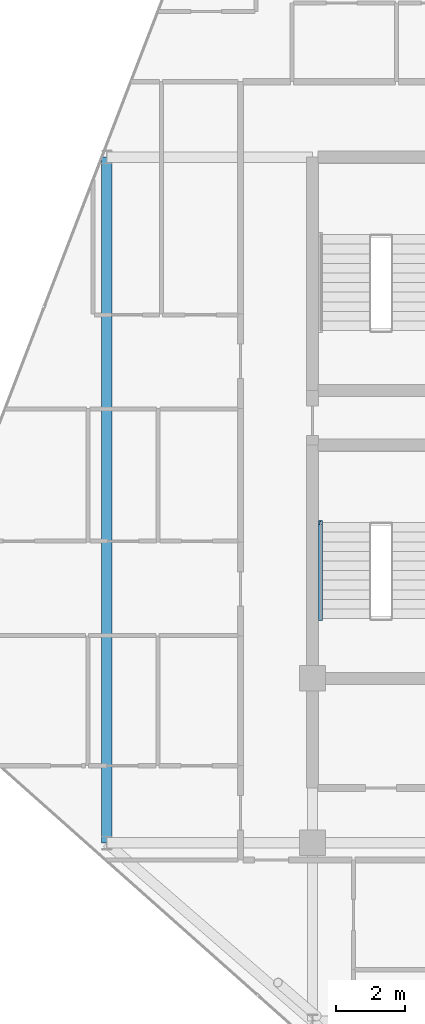
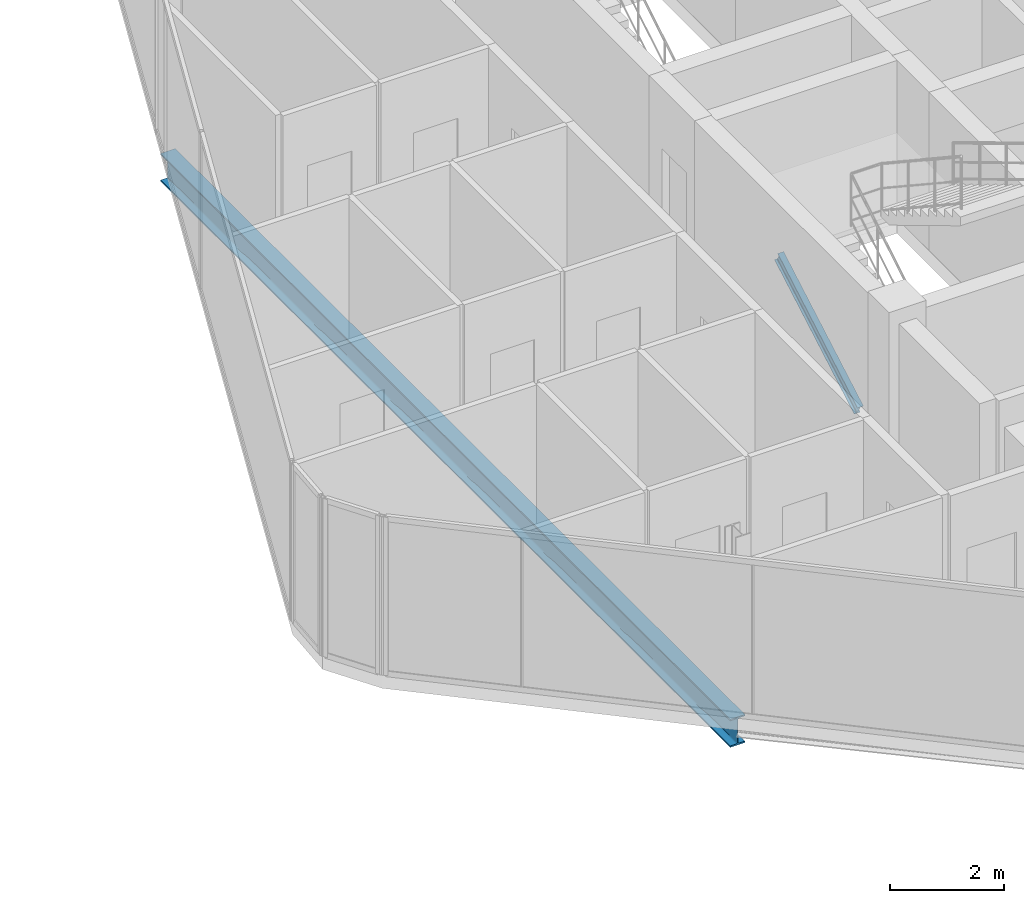
# One storey, part 9 of 27: 1 beam, 1 member.
"""IFC4 building model written with IfcOpenShell, lengths in metres."""

from ifc_helpers import new_model, si_unit, direction, frame, origin, origin_2d, place, context, subcontext, project, spatial, i_section, extrude, material, material_profile, profile_set, type_object, element, save


model = new_model("IFC4")

# Units and contexts
model_context = context("Model", 3, precision=1e-05, world=origin(), true_north=direction((0.0, 1.0)))
body_context = subcontext(model_context, "Body", "Model", "MODEL_VIEW")
ifc_project = project(units=[si_unit("LENGTHUNIT", "METRE"), si_unit("AREAUNIT", "SQUARE_METRE"), si_unit("VOLUMEUNIT", "CUBIC_METRE"), si_unit("PLANEANGLEUNIT", "RADIAN"), si_unit("MASSUNIT", "GRAM", prefix="KILO")], contexts=[model_context])

# Site, building, storey
site_placement = place(None, origin())
site = spatial("IfcSite", under=ifc_project, at=site_placement, CompositionType="ELEMENT")
building_placement = place(site_placement, origin())
building = spatial("IfcBuilding", under=site, at=building_placement, Name="Keshet Zoharim Tower", CompositionType="ELEMENT")
storey_placement = place(building_placement, frame((0.0, 0.0, 269.5)))
storey = spatial("IfcBuildingStorey", under=building, at=storey_placement, Name="L67", CompositionType="ELEMENT", Elevation=269.5)

# Beam
ifc_material = material(Name="Steel S355", Category="steel")
ifc_material_profile_1 = material_profile(ifc_material, i_section(OverallWidth=0.300048828125, OverallDepth=0.60009765625, WebThickness=0.015380859375, FlangeThickness=0.030029296875, FilletRadius=0.027099609375, at=origin_2d()), Name="HEB600")
ifc_profile_set_1 = profile_set([ifc_material_profile_1], Name="Steel S355")
beam_type = type_object("IfcBeamType", Name="BM-LNG-HB600", PredefinedType="BEAM", material=ifc_profile_set_1)
beam_placement = place(storey_placement, frame((9.0, 17.89990234375, -0.610107421875), z_axis=(0.0, 1.0, 0.0), x_axis=(-1.0, 0.0, 0.0)))
element("IfcBeam", 1, at=beam_placement, inside=storey, type_object=beam_type, Name="L67 Primary Girder Y-001", PredefinedType="BEAM", context=body_context, shape_type="SweptSolid", body=[
    extrude(i_section(OverallWidth=0.300048828125, OverallDepth=0.60009765625, WebThickness=0.015380859375, FlangeThickness=0.030029296875, FilletRadius=0.027099609375, at=origin_2d()), origin(), (0.0, 0.0, 1.0), 20.0),
])

# Member
ifc_material_profile_2 = material_profile(ifc_material, i_section(OverallWidth=0.1201171875, OverallDepth=0.239990234375, WebThickness=0.006103515625, FlangeThickness=0.009765625, FilletRadius=0.014892578125, at=origin_2d()), Name="IPE240")
ifc_profile_set_2 = profile_set([ifc_material_profile_2], Name="Steel S355")
member_type = type_object("IfcMemberType", Name="MB-STRG-IP240", PredefinedType="STRINGER", material=ifc_profile_set_2)
member_placement = place(storey_placement, frame((15.22998046875, 24.43994140625, 0.1201171875), z_axis=(0.0, 0.866928350432, 0.498432779035), x_axis=(-1.0, 0.0, 0.0)))
element("IfcMember", 2, at=member_placement, inside=storey, type_object=member_type, Name="L67 ST-01 Flight Steel Stringer", PredefinedType="STRINGER", context=body_context, shape_type="SweptSolid", body=[
    extrude(i_section(OverallWidth=0.1201171875, OverallDepth=0.239990234375, WebThickness=0.006103515625, FlangeThickness=0.009765625, FilletRadius=0.014892578125, at=origin_2d()), origin(), (0.0, 0.0, 1.0), 3.229736328125),
])

save(model, "model.ifc")
